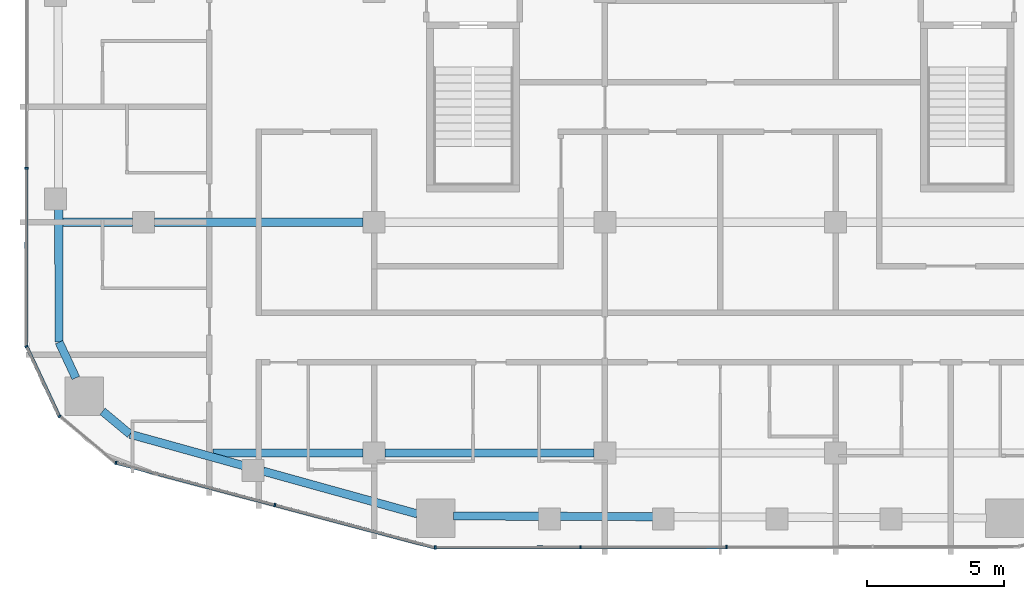
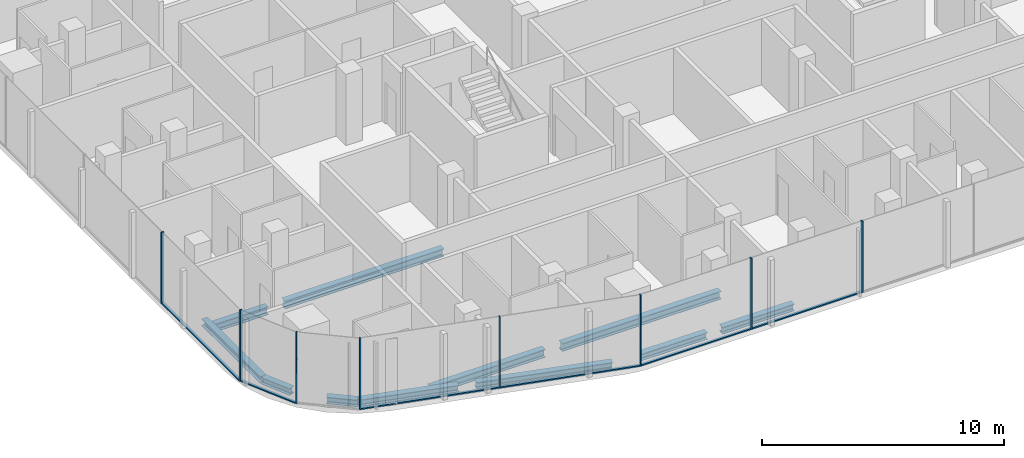
# One storey, part 2 of 22: 14 members, 11 beams, 5 elements without a shape of their own.
"""IFC4 building model written with IfcOpenShell, lengths in metres."""

from ifc_helpers import new_model, si_unit, direction, frame, origin, origin_2d, place, context, subcontext, project, spatial, rectangle, i_section, extrude, material, layer, layer_set, material_profile, profile_set, type_object, element, aggregate, save


model = new_model("IFC4")

# Units and contexts
model_context = context("Model", 3, precision=1e-05, world=origin(), true_north=direction((0.0, 1.0)))
body_context = subcontext(model_context, "Body", "Model", "MODEL_VIEW")
ifc_project = project(units=[si_unit("LENGTHUNIT", "METRE"), si_unit("AREAUNIT", "SQUARE_METRE"), si_unit("VOLUMEUNIT", "CUBIC_METRE"), si_unit("PLANEANGLEUNIT", "RADIAN"), si_unit("MASSUNIT", "GRAM", prefix="KILO")], contexts=[model_context])

# Site, building, storey
site_placement = place(None, origin())
site = spatial("IfcSite", under=ifc_project, at=site_placement, CompositionType="ELEMENT")
building_placement = place(site_placement, origin())
building = spatial("IfcBuilding", under=site, at=building_placement, Name="Marenta Gate Hotel Tower", CompositionType="ELEMENT")
storey_placement = place(building_placement, frame((0.0, 0.0, 223.699951171875)))
storey = spatial("IfcBuildingStorey", under=building, at=storey_placement, Name="L52", CompositionType="ELEMENT", Elevation=223.699951171875)

# Beams
ifc_material_1 = material(Name="Steel S355", Category="steel")
ifc_material_profile_1 = material_profile(ifc_material_1, i_section(OverallWidth=0.300048828125, OverallDepth=0.340087890625, WebThickness=0.011962890625, FlangeThickness=0.021484375, FilletRadius=0.027099609375, at=origin_2d()), Name="HEB 340")
ifc_profile_set_1 = profile_set([ifc_material_profile_1], Name="Steel S355")
beam_type_1 = type_object("IfcBeamType", Name="Edge beam HEB 340", PredefinedType="SPANDREL", material=ifc_profile_set_1)
beam_1_placement = place(storey_placement, frame((-11.02783203125, -27.42236328125, -0.429931640625), z_axis=(-0.963619240724, 0.267278803699, 0.0), x_axis=(-0.267278803699, -0.963619240724, 0.0)))
element("IfcBeam", 1, at=beam_1_placement, inside=storey, type_object=beam_type_1, Name="L52-EB-1", PredefinedType="SPANDREL", context=body_context, shape_type="SweptSolid", body=[
    extrude(i_section(OverallWidth=0.300048828125, OverallDepth=0.340087890625, WebThickness=0.011962890625, FlangeThickness=0.021484375, FilletRadius=0.027099609375, at=origin_2d()), origin(), (0.0, 0.0, 1.0), 5.82958984375),
])
beam_2_placement = place(storey_placement, frame((-17.3681640625, -25.663818359375, -0.429931640625), z_axis=(-0.963628037304, 0.267247087396, 0.0), x_axis=(-0.267247087396, -0.963628037304, 0.0)))
element("IfcBeam", 2, at=beam_2_placement, inside=storey, type_object=beam_type_1, Name="L52-EB-2", PredefinedType="SPANDREL", context=body_context, shape_type="SweptSolid", body=[
    extrude(i_section(OverallWidth=0.300048828125, OverallDepth=0.340087890625, WebThickness=0.011962890625, FlangeThickness=0.021484375, FilletRadius=0.027099609375, at=origin_2d()), origin(), (0.0, 0.0, 1.0), 4.284423828125),
])
beam_3_placement = place(storey_placement, frame((-21.496826171875, -24.518798828125, -0.429931640625), z_axis=(-0.767065103149, 0.641569269472, 0.0), x_axis=(-0.641569269472, -0.767065103149, 0.0)))
element("IfcBeam", 3, at=beam_3_placement, inside=storey, type_object=beam_type_1, Name="L52-EB-3", PredefinedType="SPANDREL", context=body_context, shape_type="SweptSolid", body=[
    extrude(i_section(OverallWidth=0.300048828125, OverallDepth=0.340087890625, WebThickness=0.011962890625, FlangeThickness=0.021484375, FilletRadius=0.027099609375, at=origin_2d()), origin(), (0.0, 0.0, 1.0), 1.299560546875),
])
beam_4_placement = place(storey_placement, frame((-23.466796875, -22.46923828125, -0.429931640625), z_axis=(-0.423341112024, 0.905970365338, 0.0), x_axis=(-0.905970365338, -0.423341112024, 0.0)))
element("IfcBeam", 4, at=beam_4_placement, inside=storey, type_object=beam_type_1, Name="L52-EB-4", PredefinedType="SPANDREL", context=body_context, shape_type="SweptSolid", body=[
    extrude(i_section(OverallWidth=0.300048828125, OverallDepth=0.340087890625, WebThickness=0.011962890625, FlangeThickness=0.021484375, FilletRadius=0.027099609375, at=origin_2d()), origin(), (0.0, 0.0, 1.0), 1.437255859375),
])
beam_5_placement = place(storey_placement, frame((-24.0751953125, -21.167236328125, -0.429931640625), z_axis=(-0.003318732666, 0.999994492992, 0.0), x_axis=(-0.999994492992, -0.003318732666, 0.0)))
element("IfcBeam", 5, at=beam_5_placement, inside=storey, type_object=beam_type_1, Name="L52-EB-5", PredefinedType="SPANDREL", context=body_context, shape_type="SweptSolid", body=[
    extrude(i_section(OverallWidth=0.300048828125, OverallDepth=0.340087890625, WebThickness=0.011962890625, FlangeThickness=0.021484375, FilletRadius=0.027099609375, at=origin_2d()), origin(), (0.0, 0.0, 1.0), 4.855224609375),
])
beam_6_placement = place(storey_placement, frame((-2.433349609375, -27.5234375, -0.429931640625), z_axis=(-0.999992599416, 0.003847221457, 0.0), x_axis=(-0.003847221457, -0.999992599416, 0.0)))
element("IfcBeam", 6, at=beam_6_placement, inside=storey, type_object=beam_type_1, Name="L52-EB-35", PredefinedType="SPANDREL", context=body_context, shape_type="SweptSolid", body=[
    extrude(i_section(OverallWidth=0.300048828125, OverallDepth=0.340087890625, WebThickness=0.011962890625, FlangeThickness=0.021484375, FilletRadius=0.027099609375, at=origin_2d()), origin(), (0.0, 0.0, 1.0), 3.4267578125),
])
beam_7_placement = place(storey_placement, frame((-6.580078125, -27.507568359375, -0.429931640625), z_axis=(-0.99999237665, 0.00390469495, 0.0), x_axis=(-0.00390469495, -0.99999237665, 0.0)))
element("IfcBeam", 7, at=beam_7_placement, inside=storey, type_object=beam_type_1, Name="L52-EB-36", PredefinedType="SPANDREL", context=body_context, shape_type="SweptSolid", body=[
    extrude(i_section(OverallWidth=0.300048828125, OverallDepth=0.340087890625, WebThickness=0.011962890625, FlangeThickness=0.021484375, FilletRadius=0.027099609375, at=origin_2d()), origin(), (0.0, 0.0, 1.0), 3.126220703125),
])
ifc_material_2 = material(Name="Steel S355", Category="steel")
ifc_material_profile_2 = material_profile(ifc_material_2, i_section(OverallWidth=0.300048828125, OverallDepth=0.39990234375, WebThickness=0.013427734375, FlangeThickness=0.02392578125, FilletRadius=0.027099609375, at=origin_2d()), Name="HEB 400")
ifc_profile_set_2 = profile_set([ifc_material_profile_2], Name="Steel S355")
beam_type_2 = type_object("IfcBeamType", Name="Girder HEB 400", PredefinedType="BEAM", material=ifc_profile_set_2)
beam_8_placement = place(storey_placement, frame((-18.479248046875, -25.199951171875, -0.4599609375), z_axis=(1.0, 0.0, 0.0), x_axis=(0.0, 1.0, 0.0)))
element("IfcBeam", 8, at=beam_8_placement, inside=storey, type_object=beam_type_2, Name="L52-GD-1", PredefinedType="BEAM", context=body_context, shape_type="SweptSolid", body=[
    extrude(i_section(OverallWidth=0.300048828125, OverallDepth=0.39990234375, WebThickness=0.013427734375, FlangeThickness=0.02392578125, FilletRadius=0.027099609375, at=origin_2d()), origin(), (0.0, 0.0, 1.0), 5.479248046875),
])
beam_9_placement = place(storey_placement, frame((-12.199951171875, -25.199951171875, -0.4599609375), z_axis=(1.0, 0.0, 0.0), x_axis=(0.0, 1.0, 0.0)))
element("IfcBeam", 9, at=beam_9_placement, inside=storey, type_object=beam_type_2, Name="L52-GD-2", PredefinedType="BEAM", context=body_context, shape_type="SweptSolid", body=[
    extrude(i_section(OverallWidth=0.300048828125, OverallDepth=0.39990234375, WebThickness=0.013427734375, FlangeThickness=0.02392578125, FilletRadius=0.027099609375, at=origin_2d()), origin(), (0.0, 0.0, 1.0), 7.599853515625),
])
beam_10_placement = place(storey_placement, frame((-23.939697265625, -16.800048828125, -0.4599609375), z_axis=(1.0, 0.0, 0.0), x_axis=(0.0, 1.0, 0.0)))
element("IfcBeam", 10, at=beam_10_placement, inside=storey, type_object=beam_type_2, Name="L52-GD-6", PredefinedType="BEAM", context=body_context, shape_type="SweptSolid", body=[
    extrude(i_section(OverallWidth=0.300048828125, OverallDepth=0.39990234375, WebThickness=0.013427734375, FlangeThickness=0.02392578125, FilletRadius=0.027099609375, at=origin_2d()), origin(), (0.0, 0.0, 1.0), 2.539794921875),
])
beam_11_placement = place(storey_placement, frame((-20.60009765625, -16.800048828125, -0.4599609375), z_axis=(1.0, 0.0, 0.0), x_axis=(0.0, 1.0, 0.0)))
element("IfcBeam", 11, at=beam_11_placement, inside=storey, type_object=beam_type_2, Name="L52-GD-7", PredefinedType="BEAM", context=body_context, shape_type="SweptSolid", body=[
    extrude(i_section(OverallWidth=0.300048828125, OverallDepth=0.39990234375, WebThickness=0.013427734375, FlangeThickness=0.02392578125, FilletRadius=0.027099609375, at=origin_2d()), origin(), (0.0, 0.0, 1.0), 7.60009765625),
])

# Curtain wall, member
ifc_material_3 = material(Name="Tinted insulated glass in bronze anodised frame", Category="glass")
ifc_layer = layer(ifc_material_3, 0.1201171875)
ifc_layer_set = layer_set([ifc_layer], Name="Tinted insulated glass in bronze anodised frame")
curtain_wall_type = type_object("IfcCurtainWallType", Name="Tower unitised curtain wall CW1", PredefinedType="NOTDEFINED", material=ifc_layer_set)
curtain_wall_1_placement = place(storey_placement, origin())
curtain_wall_1 = element("IfcCurtainWall", 12, at=curtain_wall_1_placement, inside=storey, type_object=curtain_wall_type, Name="CW1 run G03", PredefinedType="NOTDEFINED")
ifc_material_4 = material(Name="Bronze anodised aluminium", Category="aluminium")
ifc_material_profile_3 = material_profile(ifc_material_4, rectangle(XDim=0.1201171875, YDim=0.06005859375, at=origin_2d()), Name="Mullion CW1 60x120 bronze anodised aluminium")
ifc_profile_set_3 = profile_set([ifc_material_profile_3], Name="Bronze anodised aluminium")
member_type_1 = type_object("IfcMemberType", Name="Mullion CW1 60x120 bronze anodised aluminium", PredefinedType="MULLION", material=ifc_profile_set_3)
member_1_placement = place(storey_placement, frame((-25.262939453125, -14.833740234375, 0.0), z_axis=(0.0, 0.0, 1.0), x_axis=(0.99999877375, -0.001566045546, 0.0)))
member_1 = element("IfcMember", 13, at=member_1_placement, type_object=member_type_1, Name="CW1 mullion 6", PredefinedType="MULLION", context=body_context, shape_type="SweptSolid", body=[
    extrude(rectangle(XDim=0.1201171875, YDim=0.06005859375, at=origin_2d()), origin(), (0.0, 0.0, 1.0), 3.60009765625),
])

curtain_wall_2_placement = place(storey_placement, origin())
curtain_wall_2 = element("IfcCurtainWall", 14, at=curtain_wall_2_placement, inside=storey, type_object=curtain_wall_type, Name="CW1 run G04", PredefinedType="NOTDEFINED")
member_2_placement = place(storey_placement, frame((-25.26025390625, -21.321044921875, 0.0), z_axis=(0.0, 0.0, 1.0), x_axis=(0.905972194447, 0.42333719762, 0.0)))
member_2 = element("IfcMember", 15, at=member_2_placement, type_object=member_type_1, Name="CW1 mullion 1", PredefinedType="MULLION", context=body_context, shape_type="SweptSolid", body=[
    extrude(rectangle(XDim=0.1201171875, YDim=0.06005859375, at=origin_2d()), origin(), (0.0, 0.0, 1.0), 3.60009765625),
])

curtain_wall_3_placement = place(storey_placement, origin())
curtain_wall_3 = element("IfcCurtainWall", 16, at=curtain_wall_3_placement, inside=storey, type_object=curtain_wall_type, Name="CW1 run G05", PredefinedType="NOTDEFINED")
member_3_placement = place(storey_placement, frame((-24.059814453125, -23.85986328125, 0.0), z_axis=(0.0, 0.0, 1.0), x_axis=(0.641524739495, 0.767102345594, 0.0)))
member_3 = element("IfcMember", 17, at=member_3_placement, type_object=member_type_1, Name="CW1 mullion 1", PredefinedType="MULLION", context=body_context, shape_type="SweptSolid", body=[
    extrude(rectangle(XDim=0.1201171875, YDim=0.06005859375, at=origin_2d()), origin(), (0.0, 0.0, 1.0), 3.60009765625),
])
aggregate(curtain_wall_3, [member_3])

# Curtain wall, members
curtain_wall_4_placement = place(storey_placement, origin())
curtain_wall_4 = element("IfcCurtainWall", 18, at=curtain_wall_4_placement, inside=storey, type_object=curtain_wall_type, Name="CW1 run G06", PredefinedType="NOTDEFINED")
member_4_placement = place(storey_placement, frame((-22.00634765625, -25.560791015625, 0.0), z_axis=(0.0, 0.0, 1.0), x_axis=(0.257139197271, 0.966374375295, 0.0)))
member_4 = element("IfcMember", 19, at=member_4_placement, type_object=member_type_1, Name="CW1 mullion 1", PredefinedType="MULLION", context=body_context, shape_type="SweptSolid", body=[
    extrude(rectangle(XDim=0.1201171875, YDim=0.06005859375, at=origin_2d()), origin(), (0.0, 0.0, 1.0), 3.60009765625),
])
member_5_placement = place(storey_placement, frame((-16.220703125, -27.100341796875, 0.0), z_axis=(0.0, 0.0, 1.0), x_axis=(0.257139197271, 0.966374375295, 0.0)))
member_5 = element("IfcMember", 20, at=member_5_placement, type_object=member_type_1, Name="CW1 mullion 2", PredefinedType="MULLION", context=body_context, shape_type="SweptSolid", body=[
    extrude(rectangle(XDim=0.1201171875, YDim=0.06005859375, at=origin_2d()), origin(), (0.0, 0.0, 1.0), 3.60009765625),
])

curtain_wall_5_placement = place(storey_placement, origin())
curtain_wall_5 = element("IfcCurtainWall", 21, at=curtain_wall_5_placement, inside=storey, type_object=curtain_wall_type, Name="CW1 run G07", PredefinedType="NOTDEFINED")
member_6_placement = place(storey_placement, frame((-10.3759765625, -28.6474609375, 0.0), z_axis=(0.0, 0.0, 1.0), x_axis=(-0.001644757804, 0.999998647385, 0.0)))
member_6 = element("IfcMember", 22, at=member_6_placement, type_object=member_type_1, Name="CW1 mullion 1", PredefinedType="MULLION", context=body_context, shape_type="SweptSolid", body=[
    extrude(rectangle(XDim=0.1201171875, YDim=0.06005859375, at=origin_2d()), origin(), (0.0, 0.0, 1.0), 3.60009765625),
])
member_7_placement = place(storey_placement, frame((-5.086181640625, -28.638671875, 0.0), z_axis=(0.0, 0.0, 1.0), x_axis=(-0.001644757804, 0.999998647385, 0.0)))
member_7 = element("IfcMember", 23, at=member_7_placement, type_object=member_type_1, Name="CW1 mullion 2", PredefinedType="MULLION", context=body_context, shape_type="SweptSolid", body=[
    extrude(rectangle(XDim=0.1201171875, YDim=0.06005859375, at=origin_2d()), origin(), (0.0, 0.0, 1.0), 3.60009765625),
])
member_8_placement = place(storey_placement, frame((0.23388671875, -28.6298828125, 0.0), z_axis=(0.0, 0.0, 1.0), x_axis=(-0.001644757804, 0.999998647385, 0.0)))
member_8 = element("IfcMember", 24, at=member_8_placement, type_object=member_type_1, Name="CW1 mullion 3", PredefinedType="MULLION", context=body_context, shape_type="SweptSolid", body=[
    extrude(rectangle(XDim=0.1201171875, YDim=0.06005859375, at=origin_2d()), origin(), (0.0, 0.0, 1.0), 3.60009765625),
])

# Member
ifc_material_5 = material(Name="Bronze anodised aluminium", Category="aluminium")
ifc_material_profile_4 = material_profile(ifc_material_5, rectangle(XDim=0.1201171875, YDim=0.06005859375, at=origin_2d()), Name="Transom CW1 60x120 bronze anodised aluminium")
ifc_profile_set_4 = profile_set([ifc_material_profile_4], Name="Bronze anodised aluminium")
member_type_2 = type_object("IfcMemberType", Name="Transom CW1 60x120 bronze anodised aluminium", PredefinedType="USERDEFINED", material=ifc_profile_set_4)
member_9_placement = place(storey_placement, frame((-25.262939453125, -14.86376953125, 0.030029296875), z_axis=(-0.001556743377, -0.999998788274, 0.0), x_axis=(0.999998788274, -0.001556743377, 0.0)))
member_9 = element("IfcMember", 25, at=member_9_placement, type_object=member_type_2, Name="CW1 transom 6.1", ObjectType="TRANSOM", PredefinedType="USERDEFINED", context=body_context, shape_type="SweptSolid", body=[
    extrude(rectangle(XDim=0.1201171875, YDim=0.06005859375, at=origin_2d()), origin(), (0.0, 0.0, 1.0), 6.429931640625),
])

aggregate(curtain_wall_1, [member_1, member_9])

member_10_placement = place(storey_placement, frame((-25.24755859375, -21.34814453125, 0.030029296875), z_axis=(0.423274054321, -0.906001696984, 0.0), x_axis=(0.906001696984, 0.423274054321, 0.0)))
member_10 = element("IfcMember", 26, at=member_10_placement, type_object=member_type_2, Name="CW1 transom 1.1", ObjectType="TRANSOM", PredefinedType="USERDEFINED", context=body_context, shape_type="SweptSolid", body=[
    extrude(rectangle(XDim=0.1201171875, YDim=0.06005859375, at=origin_2d()), origin(), (0.0, 0.0, 1.0), 2.751220703125),
])

aggregate(curtain_wall_2, [member_2, member_10])

member_11_placement = place(storey_placement, frame((-21.977294921875, -25.568603515625, 0.030029296875), z_axis=(0.966378365457, -0.257124201073, 0.0), x_axis=(0.257124201073, 0.966378365457, 0.0)))
member_11 = element("IfcMember", 27, at=member_11_placement, type_object=member_type_2, Name="CW1 transom 1.1", ObjectType="TRANSOM", PredefinedType="USERDEFINED", context=body_context, shape_type="SweptSolid", body=[
    extrude(rectangle(XDim=0.1201171875, YDim=0.06005859375, at=origin_2d()), origin(), (0.0, 0.0, 1.0), 5.9267578125),
])

member_12_placement = place(storey_placement, frame((-16.191650390625, -27.10791015625, 0.030029296875), z_axis=(0.966371521912, -0.257149920549, 0.0), x_axis=(0.257149920549, 0.966371521912, 0.0)))
member_12 = element("IfcMember", 28, at=member_12_placement, type_object=member_type_2, Name="CW1 transom 2.1", ObjectType="TRANSOM", PredefinedType="USERDEFINED", context=body_context, shape_type="SweptSolid", body=[
    extrude(rectangle(XDim=0.1201171875, YDim=0.06005859375, at=origin_2d()), origin(), (0.0, 0.0, 1.0), 5.987060546875),
])

aggregate(curtain_wall_4, [member_4, member_5, member_11, member_12])

member_13_placement = place(storey_placement, frame((-10.345947265625, -28.6474609375, 0.030029296875), z_axis=(0.999998665295, 0.001633832195, 0.0), x_axis=(-0.001633832195, 0.999998665295, 0.0)))
member_13 = element("IfcMember", 29, at=member_13_placement, type_object=member_type_2, Name="CW1 transom 1.1", ObjectType="TRANSOM", PredefinedType="USERDEFINED", context=body_context, shape_type="SweptSolid", body=[
    extrude(rectangle(XDim=0.1201171875, YDim=0.06005859375, at=origin_2d()), origin(), (0.0, 0.0, 1.0), 5.22998046875),
])

member_14_placement = place(storey_placement, frame((-5.05615234375, -28.638671875, 0.030029296875), z_axis=(0.999998680491, 0.001624504703, 0.0), x_axis=(-0.001624504703, 0.999998680491, 0.0)))
member_14 = element("IfcMember", 30, at=member_14_placement, type_object=member_type_2, Name="CW1 transom 2.1", ObjectType="TRANSOM", PredefinedType="USERDEFINED", context=body_context, shape_type="SweptSolid", body=[
    extrude(rectangle(XDim=0.1201171875, YDim=0.06005859375, at=origin_2d()), origin(), (0.0, 0.0, 1.0), 5.260009765625),
])

aggregate(curtain_wall_5, [member_6, member_7, member_8, member_13, member_14])

save(model, "model.ifc")
